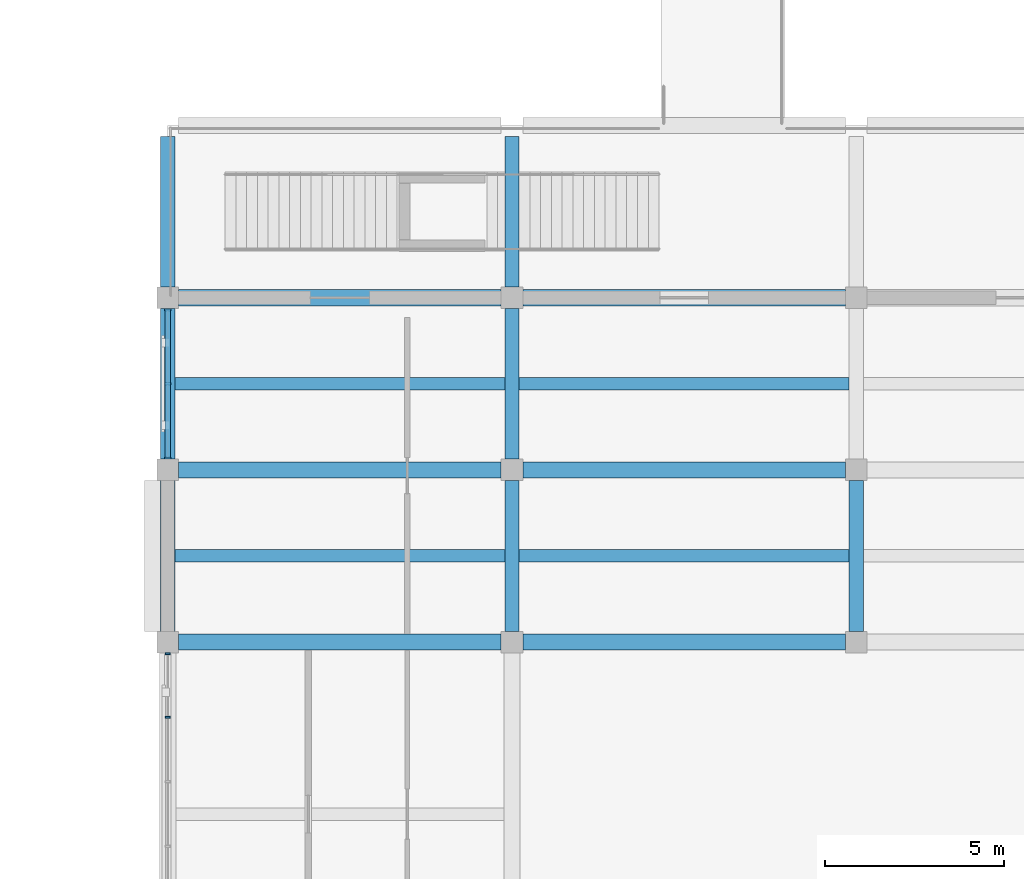
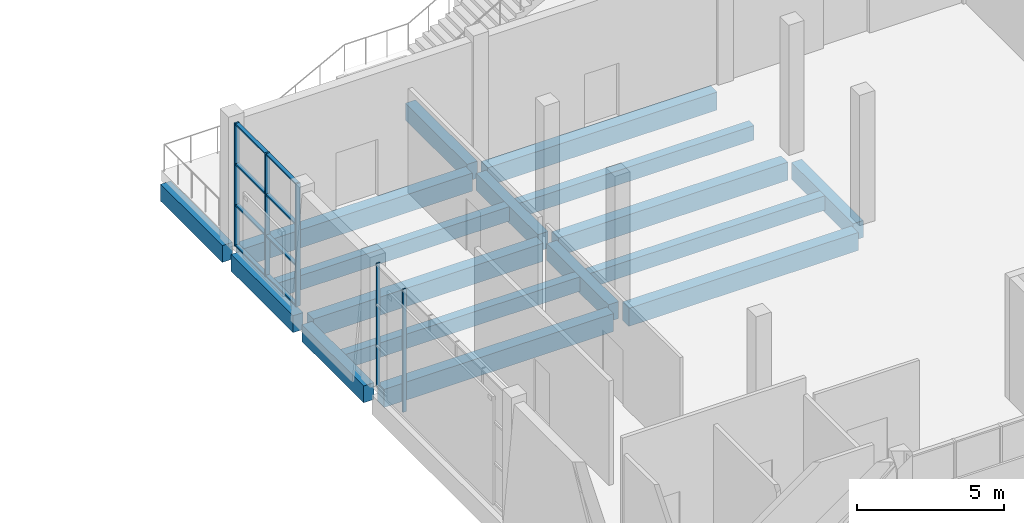
# One storey, part 12 of 72: 17 beams, 9 members, 2 elements without a shape of their own.
"""IFC4 building model written with IfcOpenShell, lengths in metres."""

from ifc_helpers import new_model, si_unit, direction, frame, origin, origin_2d, place, context, subcontext, project, spatial, rectangle, extrude, material, material_profile, profile_set, type_object, element, aggregate, save


model = new_model("IFC4")

# Units and contexts
model_context = context("Model", 3, precision=1e-05, world=origin(), true_north=direction((0.0, 1.0)))
body_context = subcontext(model_context, "Body", "Model", "MODEL_VIEW")
ifc_project = project(units=[si_unit("LENGTHUNIT", "METRE"), si_unit("AREAUNIT", "SQUARE_METRE"), si_unit("VOLUMEUNIT", "CUBIC_METRE"), si_unit("PLANEANGLEUNIT", "RADIAN"), si_unit("MASSUNIT", "GRAM", prefix="KILO")], contexts=[model_context])

# Site, building, storey
site_placement = place(None, origin())
site = spatial("IfcSite", under=ifc_project, at=site_placement, CompositionType="ELEMENT")
building_placement = place(site_placement, origin())
building = spatial("IfcBuilding", under=site, at=building_placement, Name="Shalvenor Court Art Gallery", CompositionType="ELEMENT")
storey_placement = place(building_placement, frame((0.0, 0.0, 11.39990234375)))
storey = spatial("IfcBuildingStorey", under=building, at=storey_placement, Name="L02", CompositionType="ELEMENT", Elevation=11.39990234375)

# Beams
ifc_material_1 = material(Name="Concrete C40/50", Category="concrete")
ifc_material_profile_1 = material_profile(ifc_material_1, rectangle(XDim=0.449951171875, YDim=0.75, at=origin_2d()), Name="RC 450x750")
ifc_profile_set_1 = profile_set([ifc_material_profile_1], Name="Concrete C40/50")
beam_type_1 = type_object("IfcBeamType", Name="B-04", PredefinedType="BEAM", material=ifc_profile_set_1)
for number, where, z_axis, x_axis, name in (
    (1, (96.300048828125, 19.199951171875, -0.69482421875), (1.0, 0.0, 0.0), (0.0, 1.0, 0.0), "L02 Girder BM-L02-B-04-0822"),
    (2, (105.89990234375, 19.199951171875, -0.69482421875), (1.0, 0.0, 0.0), (0.0, 1.0, 0.0), "L02 Girder BM-L02-B-04-0823"),
    (3, (96.300048828125, 24.0, -0.69482421875), (1.0, 0.0, 0.0), (0.0, 1.0, 0.0), "L02 Girder BM-L02-B-04-0825"),
    (4, (105.89990234375, 24.0, -0.69482421875), (1.0, 0.0, 0.0), (0.0, 1.0, 0.0), "L02 Girder BM-L02-B-04-0826"),
    (5, (96.300048828125, 28.800048828125, -0.69482421875), (1.0, 0.0, 0.0), (0.0, 1.0, 0.0), "L02 Girder BM-L02-B-04-0835"),
    (6, (105.89990234375, 28.800048828125, -0.69482421875), (1.0, 0.0, 0.0), (0.0, 1.0, 0.0), "L02 Girder BM-L02-B-04-0836"),
):
    element("IfcBeam", number, at=place(storey_placement, frame(where, z_axis=z_axis, x_axis=x_axis)), inside=storey, type_object=beam_type_1, Name=name, PredefinedType="BEAM", context=body_context, shape_type="SweptSolid", body=[
        extrude(rectangle(XDim=0.449951171875, YDim=0.75, at=origin_2d()), origin(), (0.0, 0.0, 1.0), 9.0),
    ])
ifc_material_2 = material(Name="Concrete C40/50", Category="concrete")
ifc_material_profile_2 = material_profile(ifc_material_2, rectangle(XDim=0.39990234375, YDim=0.699951171875, at=origin_2d()), Name="RC 400x700")
ifc_profile_set_2 = profile_set([ifc_material_profile_2], Name="Concrete C40/50")
beam_type_2 = type_object("IfcBeamType", Name="B-05", PredefinedType="BEAM", material=ifc_profile_set_2)
for number, where, z_axis, x_axis, name in (
    (7, (96.0, 19.5, -0.669921875), (0.0, 1.0, 0.0), (-1.0, 0.0, 0.0), "L02 Girder BM-L02-B-05-0744"),
    (8, (96.0, 24.300048828125, -0.669921875), (0.0, 1.0, 0.0), (-1.0, 0.0, 0.0), "L02 Girder BM-L02-B-05-0745"),
    (9, (96.0, 29.10009765625, -0.669921875), (0.0, 1.0, 0.0), (-1.0, 0.0, 0.0), "L02 Girder BM-L02-B-05-0746"),
    (10, (105.60009765625, 19.5, -0.669921875), (0.0, 1.0, 0.0), (-1.0, 0.0, 0.0), "L02 Girder BM-L02-B-05-0752"),
    (11, (105.60009765625, 24.300048828125, -0.669921875), (0.0, 1.0, 0.0), (-1.0, 0.0, 0.0), "L02 Girder BM-L02-B-05-0753"),
    (12, (105.60009765625, 29.10009765625, -0.669921875), (0.0, 1.0, 0.0), (-1.0, 0.0, 0.0), "L02 Girder BM-L02-B-05-0754"),
    (13, (115.199951171875, 19.5, -0.669921875), (0.0, 1.0, 0.0), (-1.0, 0.0, 0.0), "L02 Girder BM-L02-B-05-0758"),
):
    element("IfcBeam", number, at=place(storey_placement, frame(where, z_axis=z_axis, x_axis=x_axis)), inside=storey, type_object=beam_type_2, Name=name, PredefinedType="BEAM", context=body_context, shape_type="SweptSolid", body=[
        extrude(rectangle(XDim=0.39990234375, YDim=0.699951171875, at=origin_2d()), origin(), (0.0, 0.0, 1.0), 4.199951171875),
    ])

# Curtain wall, members
ifc_material_3 = material(Name="Anodised aluminium and low-iron glass curtain wall", Category="aluminium")
curtain_wall_type_1 = type_object("IfcCurtainWallType", Name="CW-2x3-42-51-112", PredefinedType="USERDEFINED", material=ifc_material_3)
curtain_wall_1_placement = place(storey_placement, origin())
curtain_wall_1 = element("IfcCurtainWall", 14, at=curtain_wall_1_placement, inside=storey, type_object=curtain_wall_type_1, Name="L02 V3 Curtain Wall CW-L02-108", ObjectType="CURTAIN WALL", PredefinedType="USERDEFINED")
ifc_material_4 = material(Name="Anodised aluminium mullion", Category="aluminium")
ifc_material_profile_3 = material_profile(ifc_material_4, rectangle(XDim=0.06494140625, YDim=0.179931640625, at=origin_2d()), Name="CWM-01")
ifc_profile_set_3 = profile_set([ifc_material_profile_3], Name="Anodised aluminium mullion")
member_type_1 = type_object("IfcMemberType", Name="CWM-01", PredefinedType="MULLION", material=ifc_profile_set_3)
member_1_placement = place(storey_placement, frame((96.0, 24.33251953125, 0.0), z_axis=(0.0, 0.0, 1.0), x_axis=(0.0, 1.0, 0.0)))
member_1 = element("IfcMember", 15, at=member_1_placement, type_object=member_type_1, Name="CW-2x3-42-51-112 mullion 1", PredefinedType="MULLION", context=body_context, shape_type="SweptSolid", body=[
    extrude(rectangle(XDim=0.06494140625, YDim=0.179931640625, at=origin_2d()), origin(), (0.0, 0.0, 1.0), 5.10009765625),
])
member_2_placement = place(storey_placement, frame((96.0, 26.39990234375, 0.0), z_axis=(0.0, 0.0, 1.0), x_axis=(0.0, 1.0, 0.0)))
member_2 = element("IfcMember", 16, at=member_2_placement, type_object=member_type_1, Name="CW-2x3-42-51-112 mullion 2", PredefinedType="MULLION", context=body_context, shape_type="SweptSolid", body=[
    extrude(rectangle(XDim=0.06494140625, YDim=0.179931640625, at=origin_2d()), origin(), (0.0, 0.0, 1.0), 5.10009765625),
])
member_3_placement = place(storey_placement, frame((96.0, 28.467529296875, 0.0), z_axis=(0.0, 0.0, 1.0), x_axis=(0.0, 1.0, 0.0)))
member_3 = element("IfcMember", 17, at=member_3_placement, type_object=member_type_1, Name="CW-2x3-42-51-112 mullion 3", PredefinedType="MULLION", context=body_context, shape_type="SweptSolid", body=[
    extrude(rectangle(XDim=0.06494140625, YDim=0.179931640625, at=origin_2d()), origin(), (0.0, 0.0, 1.0), 5.10009765625),
])

ifc_material_5 = material(Name="Anodised aluminium and low-iron glass curtain wall", Category="aluminium")
curtain_wall_type_2 = type_object("IfcCurtainWallType", Name="CW-5x3-90-51-642", PredefinedType="USERDEFINED", material=ifc_material_5)
curtain_wall_2_placement = place(storey_placement, origin())
curtain_wall_2 = element("IfcCurtainWall", 18, at=curtain_wall_2_placement, inside=storey, type_object=curtain_wall_type_2, Name="L02 V3 Curtain Wall CW-L02-107", ObjectType="CURTAIN WALL", PredefinedType="USERDEFINED")
ifc_material_6 = material(Name="Anodised aluminium mullion", Category="aluminium")
ifc_material_profile_4 = material_profile(ifc_material_6, rectangle(XDim=0.054931640625, YDim=0.139892578125, at=origin_2d()), Name="CWM-06")
ifc_profile_set_4 = profile_set([ifc_material_profile_4], Name="Anodised aluminium mullion")
member_type_2 = type_object("IfcMemberType", Name="CWM-06", PredefinedType="MULLION", material=ifc_profile_set_4)
member_4_placement = place(storey_placement, frame((96.0, 17.10009765625, 0.0), z_axis=(0.0, 0.0, 1.0), x_axis=(0.0, 1.0, 0.0)))
member_4 = element("IfcMember", 19, at=member_4_placement, type_object=member_type_2, Name="CW-5x3-90-51-642 mullion 5", PredefinedType="MULLION", context=body_context, shape_type="SweptSolid", body=[
    extrude(rectangle(XDim=0.054931640625, YDim=0.139892578125, at=origin_2d()), origin(), (0.0, 0.0, 1.0), 5.10009765625),
])
member_5_placement = place(storey_placement, frame((96.0, 18.87255859375, 0.0), z_axis=(0.0, 0.0, 1.0), x_axis=(0.0, 1.0, 0.0)))
member_5 = element("IfcMember", 20, at=member_5_placement, type_object=member_type_2, Name="CW-5x3-90-51-642 mullion 6", PredefinedType="MULLION", context=body_context, shape_type="SweptSolid", body=[
    extrude(rectangle(XDim=0.054931640625, YDim=0.139892578125, at=origin_2d()), origin(), (0.0, 0.0, 1.0), 5.10009765625),
])
aggregate(curtain_wall_2, [member_4, member_5])

# Member
ifc_material_7 = material(Name="Anodised aluminium transom", Category="aluminium")
ifc_material_profile_5 = material_profile(ifc_material_7, rectangle(XDim=0.14990234375, YDim=0.06005859375, at=origin_2d()), Name="CWT-01")
ifc_profile_set_5 = profile_set([ifc_material_profile_5], Name="Anodised aluminium transom")
member_type_3 = type_object("IfcMemberType", Name="CWT-01", PredefinedType="USERDEFINED", material=ifc_profile_set_5)
member_6_placement = place(storey_placement, frame((96.0, 24.33251953125, 0.030029296875), z_axis=(0.0, 1.0, 0.0), x_axis=(-1.0, 0.0, 0.0)))
member_6 = element("IfcMember", 21, at=member_6_placement, type_object=member_type_3, Name="CW-2x3-42-51-112 transom 1", ObjectType="TRANSOM", PredefinedType="USERDEFINED", context=body_context, shape_type="SweptSolid", body=[
    extrude(rectangle(XDim=0.14990234375, YDim=0.06005859375, at=origin_2d()), origin(), (0.0, 0.0, 1.0), 4.135009765625),
])

member_7_placement = place(storey_placement, frame((96.0, 24.33251953125, 1.7001953125), z_axis=(0.0, 1.0, 0.0), x_axis=(-1.0, 0.0, 0.0)))
member_7 = element("IfcMember", 22, at=member_7_placement, type_object=member_type_3, Name="CW-2x3-42-51-112 transom 2", ObjectType="TRANSOM", PredefinedType="USERDEFINED", context=body_context, shape_type="SweptSolid", body=[
    extrude(rectangle(XDim=0.14990234375, YDim=0.06005859375, at=origin_2d()), origin(), (0.0, 0.0, 1.0), 4.135009765625),
])

member_8_placement = place(storey_placement, frame((96.0, 24.33251953125, 3.400146484375), z_axis=(0.0, 1.0, 0.0), x_axis=(-1.0, 0.0, 0.0)))
member_8 = element("IfcMember", 23, at=member_8_placement, type_object=member_type_3, Name="CW-2x3-42-51-112 transom 3", ObjectType="TRANSOM", PredefinedType="USERDEFINED", context=body_context, shape_type="SweptSolid", body=[
    extrude(rectangle(XDim=0.14990234375, YDim=0.06005859375, at=origin_2d()), origin(), (0.0, 0.0, 1.0), 4.135009765625),
])

member_9_placement = place(storey_placement, frame((96.0, 24.33251953125, 5.070068359375), z_axis=(0.0, 1.0, 0.0), x_axis=(-1.0, 0.0, 0.0)))
member_9 = element("IfcMember", 24, at=member_9_placement, type_object=member_type_3, Name="CW-2x3-42-51-112 transom 4", ObjectType="TRANSOM", PredefinedType="USERDEFINED", context=body_context, shape_type="SweptSolid", body=[
    extrude(rectangle(XDim=0.14990234375, YDim=0.06005859375, at=origin_2d()), origin(), (0.0, 0.0, 1.0), 4.135009765625),
])

aggregate(curtain_wall_1, [member_1, member_2, member_3, member_6, member_7, member_8, member_9])

# Beams
ifc_material_8 = material(Name="Concrete C40/50", Category="concrete")
ifc_material_profile_6 = material_profile(ifc_material_8, rectangle(XDim=0.35009765625, YDim=0.60009765625, at=origin_2d()), Name="RC 350x600")
ifc_profile_set_6 = profile_set([ifc_material_profile_6], Name="Concrete C40/50")
beam_type_3 = type_object("IfcBeamType", Name="J-01", PredefinedType="JOIST", material=ifc_profile_set_6)
for number, where, z_axis, x_axis, name in (
    (25, (96.199951171875, 21.60009765625, -0.619873046875), (1.0, 0.0, 0.0), (0.0, 1.0, 0.0), "L02 Secondary Beam JST-L02-J-01-0939"),
    (26, (96.199951171875, 26.39990234375, -0.619873046875), (1.0, 0.0, 0.0), (0.0, 1.0, 0.0), "L02 Secondary Beam JST-L02-J-01-0940"),
    (27, (105.800048828125, 21.60009765625, -0.619873046875), (1.0, 0.0, 0.0), (0.0, 1.0, 0.0), "L02 Secondary Beam JST-L02-J-01-0944"),
    (28, (105.800048828125, 26.39990234375, -0.619873046875), (1.0, 0.0, 0.0), (0.0, 1.0, 0.0), "L02 Secondary Beam JST-L02-J-01-0945"),
):
    element("IfcBeam", number, at=place(storey_placement, frame(where, z_axis=z_axis, x_axis=x_axis)), inside=storey, type_object=beam_type_3, Name=name, PredefinedType="JOIST", context=body_context, shape_type="SweptSolid", body=[
        extrude(rectangle(XDim=0.35009765625, YDim=0.60009765625, at=origin_2d()), origin(), (0.0, 0.0, 1.0), 9.199951171875),
    ])

save(model, "model.ifc")
